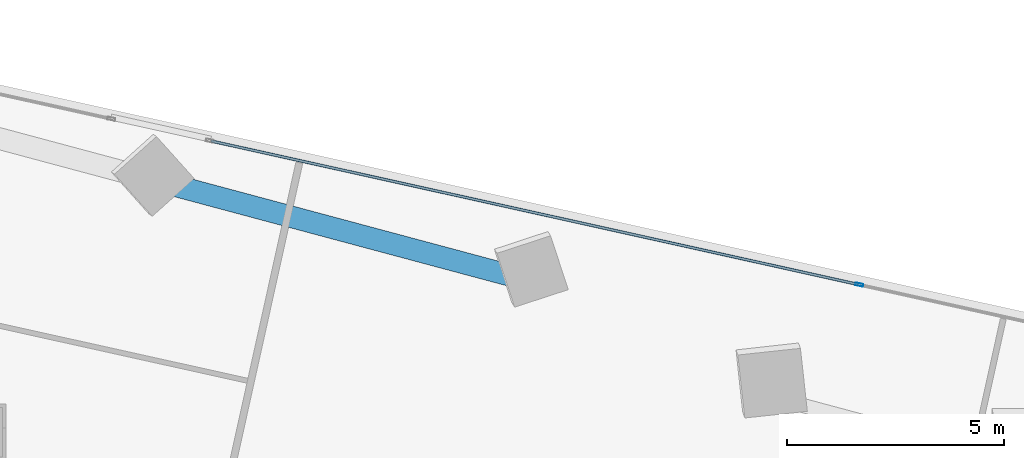
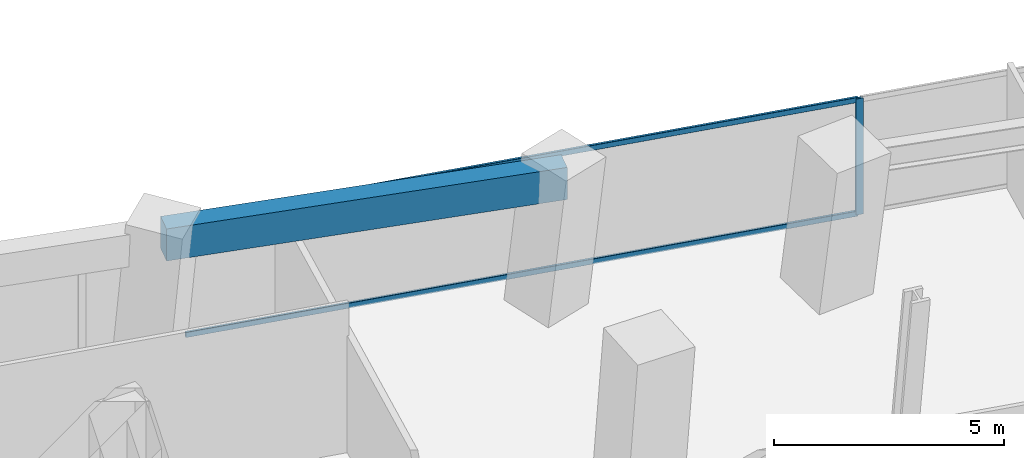
# One storey, part 19 of 26: 3 members, 1 beam, 1 element without a shape of its own.
"""IFC4 building model written with IfcOpenShell, lengths in metres."""

from ifc_helpers import new_model, si_unit, direction, frame, origin, origin_2d, place, context, subcontext, project, spatial, rectangle, hollow_rectangle, extrude, source, transform, mapped, material, material_profile, profile_set, type_object, element, aggregate, save


model = new_model("IFC4")

# Units and contexts
model_context = context("Model", 3, precision=1e-05, world=origin(), true_north=direction((0.0, 1.0)))
body_context = subcontext(model_context, "Body", "Model", "MODEL_VIEW")
ifc_project = project(units=[si_unit("LENGTHUNIT", "METRE"), si_unit("AREAUNIT", "SQUARE_METRE"), si_unit("VOLUMEUNIT", "CUBIC_METRE"), si_unit("PLANEANGLEUNIT", "RADIAN"), si_unit("MASSUNIT", "GRAM", prefix="KILO")], contexts=[model_context])

# Site, building, storey
site_placement = place(None, origin())
site = spatial("IfcSite", under=ifc_project, at=site_placement, CompositionType="ELEMENT")
building_placement = place(site_placement, origin())
building = spatial("IfcBuilding", under=site, at=building_placement, Name="Torre Montelarca", CompositionType="ELEMENT")
storey_placement = place(building_placement, frame((0.0, 0.0, 95.800048828125)))
storey = spatial("IfcBuildingStorey", under=building, at=storey_placement, Name="L21", CompositionType="ELEMENT", Elevation=95.800048828125)

# Beam
ifc_material_1 = material(Name="Concrete C55/67", Category="concrete")
ifc_material_profile_1 = material_profile(ifc_material_1, rectangle(XDim=0.5, YDim=0.85009765625, at=origin_2d()), Name="RCB500X850", Category="concrete")
ifc_profile_set_1 = profile_set([ifc_material_profile_1], Name="Concrete C55/67")
beam_type = type_object("IfcBeamType", Name="BM-SP-RC850-EXT", PredefinedType="SPANDREL", material=ifc_profile_set_1)
shared_shape_1 = source(origin(), body_context, "Body", "SweptSolid", [
    extrude(rectangle(XDim=0.5, YDim=0.85009765625, at=origin_2d()), origin(), (0.0, 0.0, 1.0), 9.0),
])
beam_placement = place(storey_placement, frame((30.733642578125, 45.210205078125, 3.534912109375), z_axis=(0.965926740751, -0.25881563226, 0.0), x_axis=(0.25881563226, 0.965926740751, 0.0)))
element("IfcBeam", 1, at=beam_placement, inside=storey, type_object=beam_type, Name="L21 Grid Girder X 27.0-36.0 at Y=47.1", PredefinedType="SPANDREL", context=body_context, shape_type="MappedRepresentation", body=[
    mapped(shared_shape_1, transform((0.0, 0.0, 0.0), scale=1.0)),
])

# Curtain wall, members
ifc_material_2 = material(Name="Insulated low-E laminated glass", Category="glass")
curtain_wall_type = type_object("IfcCurtainWallType", Name="CW-SYS-Z1", PredefinedType="USERDEFINED", material=ifc_material_2)
curtain_wall_placement = place(storey_placement, origin())
curtain_wall = element("IfcCurtainWall", 2, at=curtain_wall_placement, inside=storey, type_object=curtain_wall_type, Name="L21 Curtain Wall Run CW-T3-L21-E08-B1", ObjectType="UNITISED GLAZING", PredefinedType="USERDEFINED")
ifc_material_3 = material(Name="Anodised aluminium AA 6063-T6", Category="aluminium")
ifc_material_profile_2 = material_profile(ifc_material_3, hollow_rectangle(XDim=0.06494140625, YDim=0.139892578125, WallThickness=0.00390625, InnerFilletRadius=0.00390625, OuterFilletRadius=0.008056640625, at=origin_2d()), Name="ALU65X140X4", Category="aluminium")
ifc_profile_set_2 = profile_set([ifc_material_profile_2], Name="Anodised aluminium AA 6063-T6")
member_type_1 = type_object("IfcMemberType", Name="CWT-ALU140", PredefinedType="USERDEFINED", material=ifc_profile_set_2)
shared_shape_2 = source(origin(), body_context, "Body", "SweptSolid", [
    extrude(hollow_rectangle(XDim=0.06494140625, YDim=0.139892578125, WallThickness=0.00390625, InnerFilletRadius=0.00390625, OuterFilletRadius=0.008056640625, at=origin_2d()), origin(), (0.0, 0.0, 1.0), 15.2900390625),
])
member_1_placement = place(storey_placement, frame((46.763427734375, 42.859375, 0.032470703125), z_axis=(-0.976296266105, 0.216438445727, 0.0), x_axis=(-0.216438445727, -0.976296266105, 0.0)))
member_1 = element("IfcMember", 3, at=member_1_placement, type_object=member_type_1, Name="CW transom 2.1", ObjectType="TRANSOM", PredefinedType="USERDEFINED", context=body_context, shape_type="MappedRepresentation", body=[
    mapped(shared_shape_2, transform((0.0, 0.0, 0.0), scale=1.0)),
])
member_2_placement = place(storey_placement, frame((46.763427734375, 42.859375, 3.04248046875), z_axis=(-0.976296266105, 0.216438445727, 0.0), x_axis=(-0.216438445727, -0.976296266105, 0.0)))
member_2 = element("IfcMember", 4, at=member_2_placement, type_object=member_type_1, Name="CW transom 2.2", ObjectType="TRANSOM", PredefinedType="USERDEFINED", context=body_context, shape_type="MappedRepresentation", body=[
    mapped(shared_shape_2, transform((0.0, 0.0, 0.0), scale=1.0)),
])
ifc_material_profile_3 = material_profile(ifc_material_3, hollow_rectangle(XDim=0.06494140625, YDim=0.179931640625, WallThickness=0.00390625, InnerFilletRadius=0.00390625, OuterFilletRadius=0.008056640625, at=origin_2d()), Name="ALU65X180X4", Category="aluminium")
ifc_profile_set_3 = profile_set([ifc_material_profile_3], Name="Anodised aluminium AA 6063-T6")
member_type_2 = type_object("IfcMemberType", Name="CWM-ALU180", PredefinedType="MULLION", material=ifc_profile_set_3)
shared_shape_3 = source(origin(), body_context, "Body", "SweptSolid", [
    extrude(hollow_rectangle(XDim=0.06494140625, YDim=0.179931640625, WallThickness=0.00390625, InnerFilletRadius=0.00390625, OuterFilletRadius=0.008056640625, at=origin_2d()), origin(), (0.0, 0.0, 1.0), 3.074951171875),
])
member_3_placement = place(storey_placement, frame((46.795166015625, 42.852294921875, 0.0), z_axis=(0.0, 0.0, 1.0), x_axis=(-0.216441875294, -0.976295505787, 0.0)))
member_3 = element("IfcMember", 5, at=member_3_placement, type_object=member_type_2, Name="CW mullion 2", PredefinedType="MULLION", context=body_context, shape_type="MappedRepresentation", body=[
    mapped(shared_shape_3, transform((0.0, 0.0, 0.0), scale=1.0)),
])
aggregate(curtain_wall, [member_3, member_1, member_2])

save(model, "model.ifc")
